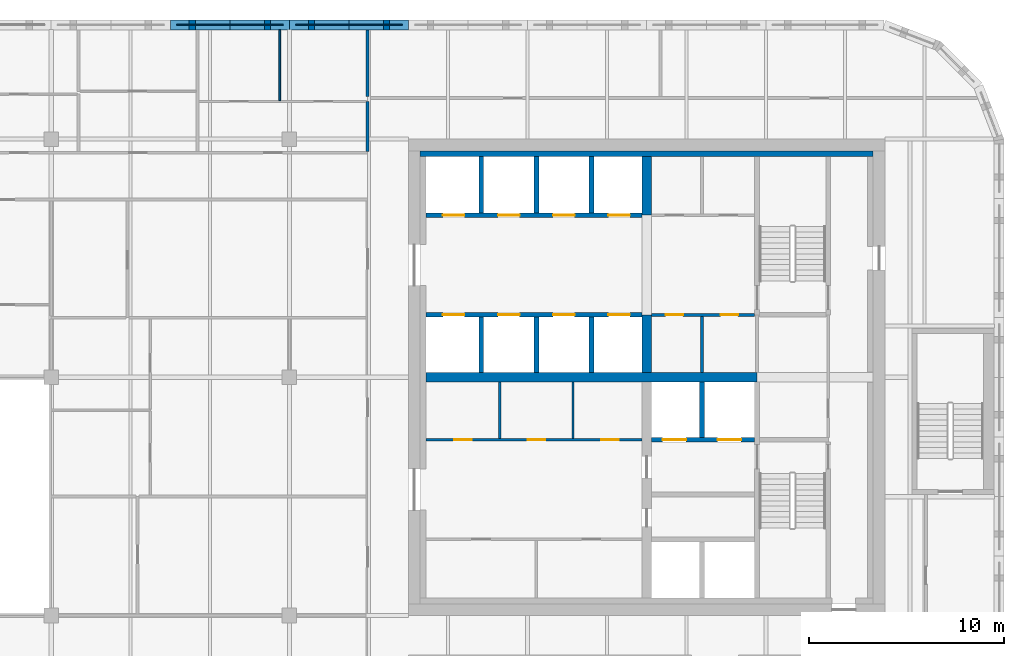
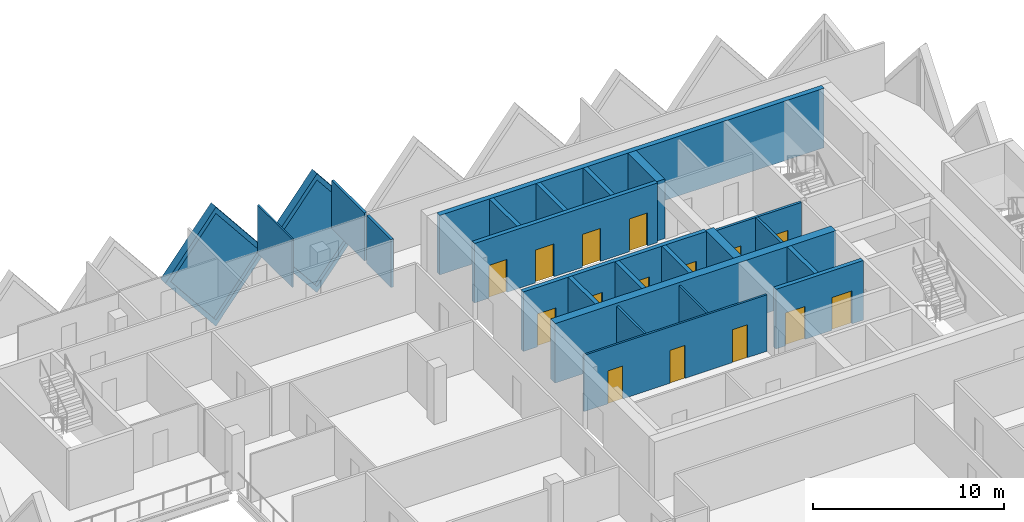
# One storey, part 8 of 11: 24 walls, 15 doors, 2 plates, 17 openings.
"""IFC4 building model written with IfcOpenShell, lengths in metres."""

from ifc_helpers import new_model, si_unit, direction, frame, frame_2d, origin, place, context, subcontext, project, spatial, polyline, rectangle, outline, extrude, faceted_brep, source, transform, mapped, material, layer, layer_set, type_object, element, fill, save


model = new_model("IFC4")

# Units and contexts
model_context = context("Model", 3, precision=1e-05, world=origin(), true_north=direction((0.0, 1.0)))
body_context = subcontext(model_context, "Body", "Model", "MODEL_VIEW")
ifc_project = project(units=[si_unit("LENGTHUNIT", "METRE"), si_unit("AREAUNIT", "SQUARE_METRE"), si_unit("VOLUMEUNIT", "CUBIC_METRE"), si_unit("PLANEANGLEUNIT", "RADIAN"), si_unit("MASSUNIT", "GRAM", prefix="KILO")], contexts=[model_context])

# Site, building, storey
site_placement = place(None, origin())
site = spatial("IfcSite", under=ifc_project, at=site_placement, CompositionType="ELEMENT")
building_placement = place(site_placement, origin())
building = spatial("IfcBuilding", under=site, at=building_placement, Name="Tessera Gate Towers", CompositionType="ELEMENT")
storey_placement = place(building_placement, frame((0.0, 0.0, 174.39990234375)))
storey = spatial("IfcBuildingStorey", under=building, at=storey_placement, Name="L43", CompositionType="ELEMENT", Elevation=174.39990234375)

# Wall, openings, doors
ifc_material_1 = material(Name="Concrete C40/50", Category="concrete")
ifc_layer_1 = layer(ifc_material_1, 0.25)
ifc_layer_set_1 = layer_set([ifc_layer_1], Name="CORE ENCLOSURE WALL 250")
wall_type_1 = type_object("IfcWallType", Name="CORE ENCLOSURE WALL 250", PredefinedType="SOLIDWALL", material=ifc_layer_set_1)
wall_1_placement = place(storey_placement, frame((31.39990234375, 39.800048828125, 0.0), z_axis=(0.0, 0.0, 1.0), x_axis=(1.0, 0.0, 0.0)))
wall_1 = element("IfcWall", 1, at=wall_1_placement, inside=storey, type_object=wall_type_1, Name="L43 shaft and stair enclosure wall", PredefinedType="SOLIDWALL", context=body_context, shape_type="SweptSolid", body=[
    extrude(rectangle(XDim=11.050048828125, YDim=0.25, at=frame_2d((5.52490234375, 0.0))), origin(), (0.0, 0.0, 1.0), 3.800048828125),
])
shared_shape_1 = source(origin(), body_context, "Body", "SweptSolid", [
    extrude(rectangle(XDim=1.10009765625, YDim=2.10009765625, at=frame_2d((0.550048828125, 1.050048828125))), frame((0.0, 0.135009765625, 0.0), z_axis=(0.0, -1.0, 0.0), x_axis=(1.0, 0.0, 0.0)), (0.0, 0.0, 1.0), 0.27001953125),
])
opening_1_placement = place(wall_1_placement, frame((0.862548828125, 0.0, 0.0)))
opening_1 = element("IfcOpeningElement", 2, at=opening_1_placement, cuts=wall_1, Name="Opening LD-HR1", PredefinedType="OPENING", context=body_context, shape_type="MappedRepresentation", body=[
    mapped(shared_shape_1, transform((0.0, 0.0, 0.0), scale=1.0)),
])
opening_2_placement = place(wall_1_placement, frame((3.6875, 0.0, 0.0)))
opening_2 = element("IfcOpeningElement", 3, at=opening_2_placement, cuts=wall_1, Name="Opening LD-HR2", PredefinedType="OPENING", context=body_context, shape_type="MappedRepresentation", body=[
    mapped(shared_shape_1, transform((0.0, 0.0, 0.0), scale=1.0)),
])
opening_3_placement = place(wall_1_placement, frame((6.512451171875, 0.0, 0.0)))
opening_3 = element("IfcOpeningElement", 4, at=opening_3_placement, cuts=wall_1, Name="Opening LD-HR3", PredefinedType="OPENING", context=body_context, shape_type="MappedRepresentation", body=[
    mapped(shared_shape_1, transform((0.0, 0.0, 0.0), scale=1.0)),
])
opening_4_placement = place(wall_1_placement, frame((9.33740234375, 0.0, 0.0)))
opening_4 = element("IfcOpeningElement", 5, at=opening_4_placement, cuts=wall_1, Name="Opening LD-HR4", PredefinedType="OPENING", context=body_context, shape_type="MappedRepresentation", body=[
    mapped(shared_shape_1, transform((0.0, 0.0, 0.0), scale=1.0)),
])
ifc_material_2 = material(Name="Stainless steel", Category="steel")
door_type_1 = type_object("IfcDoorType", Name="CORE DOOR LD 1100x2100", OperationType="DOUBLE_DOOR_SLIDING", PredefinedType="DOOR", material=ifc_material_2)
shared_shape_2 = source(origin(), body_context, "Body", "SweptSolid", [
    extrude(rectangle(XDim=1.10009765625, YDim=2.10009765625, at=frame_2d((0.550048828125, 1.050048828125))), frame((0.0, 0.02490234375, 0.0), z_axis=(0.0, -1.0, 0.0), x_axis=(1.0, 0.0, 0.0)), (0.0, 0.0, 1.0), 0.050048828125),
])
door_1_placement = place(opening_1_placement, origin())
door_1 = element("IfcDoor", 6, at=door_1_placement, inside=storey, type_object=door_type_1, Name="Landing door HR1 L43", OperationType="DOUBLE_DOOR_SLIDING", OverallHeight=2.10009765625, OverallWidth=1.10009765625, PredefinedType="DOOR", context=body_context, shape_type="MappedRepresentation", body=[
    mapped(shared_shape_2, transform((0.0, 0.0, 0.0), scale=1.0)),
])
fill(opening_1, door_1)
door_2_placement = place(opening_2_placement, origin())
door_2 = element("IfcDoor", 7, at=door_2_placement, inside=storey, type_object=door_type_1, Name="Landing door HR2 L43", OperationType="DOUBLE_DOOR_SLIDING", OverallHeight=2.10009765625, OverallWidth=1.10009765625, PredefinedType="DOOR", context=body_context, shape_type="MappedRepresentation", body=[
    mapped(shared_shape_2, transform((0.0, 0.0, 0.0), scale=1.0)),
])
fill(opening_2, door_2)
door_3_placement = place(opening_3_placement, origin())
door_3 = element("IfcDoor", 8, at=door_3_placement, inside=storey, type_object=door_type_1, Name="Landing door HR3 L43", OperationType="DOUBLE_DOOR_SLIDING", OverallHeight=2.10009765625, OverallWidth=1.10009765625, PredefinedType="DOOR", context=body_context, shape_type="MappedRepresentation", body=[
    mapped(shared_shape_2, transform((0.0, 0.0, 0.0), scale=1.0)),
])
fill(opening_3, door_3)
door_4_placement = place(opening_4_placement, origin())
door_4 = element("IfcDoor", 9, at=door_4_placement, inside=storey, type_object=door_type_1, Name="Landing door HR4 L43", OperationType="DOUBLE_DOOR_SLIDING", OverallHeight=2.10009765625, OverallWidth=1.10009765625, PredefinedType="DOOR", context=body_context, shape_type="MappedRepresentation", body=[
    mapped(shared_shape_2, transform((0.0, 0.0, 0.0), scale=1.0)),
])
fill(opening_4, door_4)

wall_2_placement = place(storey_placement, frame((42.449951171875, 44.89990234375, 0.0), z_axis=(0.0, 0.0, 1.0), x_axis=(-1.0, 0.0, 0.0)))
wall_2 = element("IfcWall", 10, at=wall_2_placement, inside=storey, type_object=wall_type_1, Name="L43 shaft and stair enclosure wall", PredefinedType="SOLIDWALL", context=body_context, shape_type="SweptSolid", body=[
    extrude(rectangle(XDim=11.050048828125, YDim=0.25, at=frame_2d((5.52490234375, 0.0))), origin(), (0.0, 0.0, 1.0), 3.800048828125),
])
opening_5_placement = place(wall_2_placement, frame((9.08740234375, 0.0, 0.0)))
opening_5 = element("IfcOpeningElement", 11, at=opening_5_placement, cuts=wall_2, Name="Opening LD-HR5", PredefinedType="OPENING", context=body_context, shape_type="MappedRepresentation", body=[
    mapped(shared_shape_1, transform((0.0, 0.0, 0.0), scale=1.0)),
])
opening_6_placement = place(wall_2_placement, frame((6.262451171875, 0.0, 0.0)))
opening_6 = element("IfcOpeningElement", 12, at=opening_6_placement, cuts=wall_2, Name="Opening LD-HR6", PredefinedType="OPENING", context=body_context, shape_type="MappedRepresentation", body=[
    mapped(shared_shape_1, transform((0.0, 0.0, 0.0), scale=1.0)),
])
opening_7_placement = place(wall_2_placement, frame((3.4375, 0.0, 0.0)))
opening_7 = element("IfcOpeningElement", 13, at=opening_7_placement, cuts=wall_2, Name="Opening LD-HR7", PredefinedType="OPENING", context=body_context, shape_type="MappedRepresentation", body=[
    mapped(shared_shape_1, transform((0.0, 0.0, 0.0), scale=1.0)),
])
opening_8_placement = place(wall_2_placement, frame((0.612548828125, 0.0, 0.0)))
opening_8 = element("IfcOpeningElement", 14, at=opening_8_placement, cuts=wall_2, Name="Opening LD-HR8", PredefinedType="OPENING", context=body_context, shape_type="MappedRepresentation", body=[
    mapped(shared_shape_1, transform((0.0, 0.0, 0.0), scale=1.0)),
])
door_5_placement = place(opening_5_placement, origin())
door_5 = element("IfcDoor", 15, at=door_5_placement, inside=storey, type_object=door_type_1, Name="Landing door HR5 L43", OperationType="DOUBLE_DOOR_SLIDING", OverallHeight=2.10009765625, OverallWidth=1.10009765625, PredefinedType="DOOR", context=body_context, shape_type="MappedRepresentation", body=[
    mapped(shared_shape_2, transform((0.0, 0.0, 0.0), scale=1.0)),
])
fill(opening_5, door_5)
door_6_placement = place(opening_6_placement, origin())
door_6 = element("IfcDoor", 16, at=door_6_placement, inside=storey, type_object=door_type_1, Name="Landing door HR6 L43", OperationType="DOUBLE_DOOR_SLIDING", OverallHeight=2.10009765625, OverallWidth=1.10009765625, PredefinedType="DOOR", context=body_context, shape_type="MappedRepresentation", body=[
    mapped(shared_shape_2, transform((0.0, 0.0, 0.0), scale=1.0)),
])
fill(opening_6, door_6)
door_7_placement = place(opening_7_placement, origin())
door_7 = element("IfcDoor", 17, at=door_7_placement, inside=storey, type_object=door_type_1, Name="Landing door HR7 L43", OperationType="DOUBLE_DOOR_SLIDING", OverallHeight=2.10009765625, OverallWidth=1.10009765625, PredefinedType="DOOR", context=body_context, shape_type="MappedRepresentation", body=[
    mapped(shared_shape_2, transform((0.0, 0.0, 0.0), scale=1.0)),
])
fill(opening_7, door_7)
door_8_placement = place(opening_8_placement, origin())
door_8 = element("IfcDoor", 18, at=door_8_placement, inside=storey, type_object=door_type_1, Name="Landing door HR8 L43", OperationType="DOUBLE_DOOR_SLIDING", OverallHeight=2.10009765625, OverallWidth=1.10009765625, PredefinedType="DOOR", context=body_context, shape_type="MappedRepresentation", body=[
    mapped(shared_shape_2, transform((0.0, 0.0, 0.0), scale=1.0)),
])
fill(opening_8, door_8)

wall_3_placement = place(storey_placement, frame((48.22509765625, 33.39990234375, 0.0), z_axis=(0.0, 0.0, 1.0), x_axis=(-1.0, 0.0, 0.0)))
wall_3 = element("IfcWall", 19, at=wall_3_placement, inside=storey, type_object=wall_type_1, Name="L43 shaft and stair enclosure wall", PredefinedType="SOLIDWALL", context=body_context, shape_type="SweptSolid", body=[
    extrude(rectangle(XDim=5.275146484375, YDim=0.25, at=frame_2d((2.6376953125, 0.0))), origin(), (0.0, 0.0, 1.0), 3.800048828125),
])
shared_shape_3 = source(origin(), body_context, "Body", "SweptSolid", [
    extrude(rectangle(XDim=1.199951171875, YDim=2.10009765625, at=frame_2d((0.60009765625, 1.050048828125))), frame((0.0, 0.135009765625, 0.0), z_axis=(0.0, -1.0, 0.0), x_axis=(1.0, 0.0, 0.0)), (0.0, 0.0, 1.0), 0.27001953125),
])
opening_9_placement = place(wall_3_placement, frame((3.512451171875, 0.0, 0.0)))
opening_9 = element("IfcOpeningElement", 20, at=opening_9_placement, cuts=wall_3, Name="Opening LD-FF1", PredefinedType="OPENING", context=body_context, shape_type="MappedRepresentation", body=[
    mapped(shared_shape_3, transform((0.0, 0.0, 0.0), scale=1.0)),
])
opening_10_placement = place(wall_3_placement, frame((0.6875, 0.0, 0.0)))
opening_10 = element("IfcOpeningElement", 21, at=opening_10_placement, cuts=wall_3, Name="Opening LD-FF2", PredefinedType="OPENING", context=body_context, shape_type="MappedRepresentation", body=[
    mapped(shared_shape_3, transform((0.0, 0.0, 0.0), scale=1.0)),
])
ifc_material_3 = material(Name="Stainless steel", Category="steel")
door_type_2 = type_object("IfcDoorType", Name="CORE DOOR LD1200 1200x2100", OperationType="DOUBLE_DOOR_SLIDING", PredefinedType="DOOR", material=ifc_material_3)
shared_shape_4 = source(origin(), body_context, "Body", "SweptSolid", [
    extrude(rectangle(XDim=1.199951171875, YDim=2.10009765625, at=frame_2d((0.60009765625, 1.050048828125))), frame((0.0, 0.02490234375, 0.0), z_axis=(0.0, -1.0, 0.0), x_axis=(1.0, 0.0, 0.0)), (0.0, 0.0, 1.0), 0.050048828125),
])
door_9_placement = place(opening_9_placement, origin())
door_9 = element("IfcDoor", 22, at=door_9_placement, inside=storey, type_object=door_type_2, Name="Landing door FF1 L43", OperationType="DOUBLE_DOOR_SLIDING", OverallHeight=2.10009765625, OverallWidth=1.199951171875, PredefinedType="DOOR", context=body_context, shape_type="MappedRepresentation", body=[
    mapped(shared_shape_4, transform((0.0, 0.0, 0.0), scale=1.0)),
])
fill(opening_9, door_9)
door_10_placement = place(opening_10_placement, origin())
door_10 = element("IfcDoor", 23, at=door_10_placement, inside=storey, type_object=door_type_2, Name="Landing door FF2 L43", OperationType="DOUBLE_DOOR_SLIDING", OverallHeight=2.10009765625, OverallWidth=1.199951171875, PredefinedType="DOOR", context=body_context, shape_type="MappedRepresentation", body=[
    mapped(shared_shape_4, transform((0.0, 0.0, 0.0), scale=1.0)),
])
fill(opening_10, door_10)

# Walls
for number, where, z_axis, x_axis, name in (
    (24, (34.22509765625, 36.85009765625, 0.0), (0.0, 0.0, 1.0), (0.0, 1.0, 0.0), "L43 shaft and stair enclosure wall"),
    (25, (37.050048828125, 36.85009765625, 0.0), (0.0, 0.0, 1.0), (0.0, 1.0, 0.0), "L43 shaft and stair enclosure wall"),
    (26, (39.875, 36.85009765625, 0.0), (0.0, 0.0, 1.0), (0.0, 1.0, 0.0), "L43 shaft and stair enclosure wall"),
):
    element("IfcWall", number, at=place(storey_placement, frame(where, z_axis=z_axis, x_axis=x_axis)), inside=storey, type_object=wall_type_1, Name=name, PredefinedType="SOLIDWALL", context=body_context, shape_type="SweptSolid", body=[
        extrude(rectangle(XDim=2.824951171875, YDim=0.25, at=frame_2d((1.41259765625, 0.0))), origin(), (0.0, 0.0, 1.0), 3.800048828125),
    ])
wall_4_placement = place(storey_placement, frame((45.52490234375, 33.52490234375, 0.0), z_axis=(0.0, 0.0, 1.0), x_axis=(0.0, 1.0, 0.0)))
element("IfcWall", 27, at=wall_4_placement, inside=storey, type_object=wall_type_1, Name="L43 shaft and stair enclosure wall", PredefinedType="SOLIDWALL", context=body_context, shape_type="SweptSolid", body=[
    extrude(rectangle(XDim=2.8251953125, YDim=0.25, at=frame_2d((1.41259765625, 0.0))), origin(), (0.0, 0.0, 1.0), 3.800048828125),
])
for number, where, z_axis, x_axis, name in (
    (28, (34.22509765625, 45.02490234375, 0.0), (0.0, 0.0, 1.0), (0.0, 1.0, 0.0), "L43 shaft and stair enclosure wall"),
    (29, (37.050048828125, 45.02490234375, 0.0), (0.0, 0.0, 1.0), (0.0, 1.0, 0.0), "L43 shaft and stair enclosure wall"),
    (30, (39.875, 45.02490234375, 0.0), (0.0, 0.0, 1.0), (0.0, 1.0, 0.0), "L43 shaft and stair enclosure wall"),
):
    element("IfcWall", number, at=place(storey_placement, frame(where, z_axis=z_axis, x_axis=x_axis)), inside=storey, type_object=wall_type_1, Name=name, PredefinedType="SOLIDWALL", context=body_context, shape_type="SweptSolid", body=[
        extrude(rectangle(XDim=2.875, YDim=0.25, at=frame_2d((1.4375, 0.0))), origin(), (0.0, 0.0, 1.0), 3.800048828125),
    ])

# Wall, openings, doors
ifc_material_4 = material(Name="Gypsum board on steel studs", Category="steel")
ifc_layer_2 = layer(ifc_material_4, 0.1201171875)
ifc_layer_set_2 = layer_set([ifc_layer_2], Name="CORE PARTITION 120")
wall_type_2 = type_object("IfcWallType", Name="CORE PARTITION 120", PredefinedType="PARTITIONING", material=ifc_layer_set_2)
wall_5_placement = place(storey_placement, frame((31.39990234375, 33.39990234375, 0.0), z_axis=(0.0, 0.0, 1.0), x_axis=(1.0, 0.0, 0.0)))
wall_5 = element("IfcWall", 31, at=wall_5_placement, inside=storey, type_object=wall_type_2, Name="L43 core partition", PredefinedType="PARTITIONING", context=body_context, shape_type="SweptSolid", body=[
    extrude(rectangle(XDim=11.050048828125, YDim=0.1201171875, at=frame_2d((5.52490234375, 0.0))), origin(), (0.0, 0.0, 1.0), 3.60009765625),
])
shared_shape_5 = source(origin(), body_context, "Body", "SweptSolid", [
    extrude(rectangle(XDim=0.89990234375, YDim=2.10009765625, at=frame_2d((0.449951171875, 1.050048828125))), frame((0.0, 0.070068359375, 0.0), z_axis=(0.0, -1.0, 0.0), x_axis=(1.0, 0.0, 0.0)), (0.0, 0.0, 1.0), 0.14013671875),
])
opening_11_placement = place(wall_5_placement, frame((1.4375, 0.0, 0.0)))
opening_11 = element("IfcOpeningElement", 32, at=opening_11_placement, cuts=wall_5, Name="Opening RD-T1-27-09", PredefinedType="OPENING", context=body_context, shape_type="MappedRepresentation", body=[
    mapped(shared_shape_5, transform((0.0, 0.0, 0.0), scale=1.0)),
])
opening_12_placement = place(wall_5_placement, frame((5.199951171875, 0.0, 0.0)))
opening_12 = element("IfcOpeningElement", 33, at=opening_12_placement, cuts=wall_5, Name="Opening RD-T1-27-10", PredefinedType="OPENING", context=body_context, shape_type="MappedRepresentation", body=[
    mapped(shared_shape_5, transform((0.0, 0.0, 0.0), scale=1.0)),
])
opening_13_placement = place(wall_5_placement, frame((8.96240234375, 0.0, 0.0)))
opening_13 = element("IfcOpeningElement", 34, at=opening_13_placement, cuts=wall_5, Name="Opening RD-T1-27-11", PredefinedType="OPENING", context=body_context, shape_type="MappedRepresentation", body=[
    mapped(shared_shape_5, transform((0.0, 0.0, 0.0), scale=1.0)),
])
ifc_material_5 = material(Name="Hollow steel fire door", Category="steel")
door_type_3 = type_object("IfcDoorType", Name="CORE DOOR RD 900x2100", OperationType="NOTDEFINED", PredefinedType="DOOR", material=ifc_material_5)
shared_shape_6 = source(origin(), body_context, "Body", "SweptSolid", [
    extrude(rectangle(XDim=0.89990234375, YDim=2.10009765625, at=frame_2d((0.449951171875, 1.050048828125))), frame((0.0, 0.02490234375, 0.0), z_axis=(0.0, -1.0, 0.0), x_axis=(1.0, 0.0, 0.0)), (0.0, 0.0, 1.0), 0.050048828125),
])
door_11_placement = place(opening_11_placement, origin())
door_11 = element("IfcDoor", 35, at=door_11_placement, inside=storey, type_object=door_type_3, Name="Core room door", OperationType="SINGLE_SWING_LEFT", OverallHeight=2.10009765625, OverallWidth=0.89990234375, PredefinedType="DOOR", context=body_context, shape_type="MappedRepresentation", body=[
    mapped(shared_shape_6, transform((0.0, 0.0, 0.0), scale=1.0)),
])
fill(opening_11, door_11)
door_12_placement = place(opening_12_placement, origin())
door_12 = element("IfcDoor", 36, at=door_12_placement, inside=storey, type_object=door_type_3, Name="Core room door", OperationType="SINGLE_SWING_RIGHT", OverallHeight=2.10009765625, OverallWidth=0.89990234375, PredefinedType="DOOR", context=body_context, shape_type="MappedRepresentation", body=[
    mapped(shared_shape_6, transform((0.0, 0.0, 0.0), scale=1.0)),
])
fill(opening_12, door_12)
door_13_placement = place(opening_13_placement, origin())
door_13 = element("IfcDoor", 37, at=door_13_placement, inside=storey, type_object=door_type_3, Name="Core room door", OperationType="SINGLE_SWING_RIGHT", OverallHeight=2.10009765625, OverallWidth=0.89990234375, PredefinedType="DOOR", context=body_context, shape_type="MappedRepresentation", body=[
    mapped(shared_shape_6, transform((0.0, 0.0, 0.0), scale=1.0)),
])
fill(opening_13, door_13)

# Walls
for number, where, z_axis, x_axis, name in (
    (38, (35.175048828125, 33.4599609375, 0.0), (0.0, 0.0, 1.0), (0.0, 1.0, 0.0), "L43 core partition"),
    (39, (38.925048828125, 33.4599609375, 0.0), (0.0, 0.0, 1.0), (0.0, 1.0, 0.0), "L43 core partition"),
):
    element("IfcWall", number, at=place(storey_placement, frame(where, z_axis=z_axis, x_axis=x_axis)), inside=storey, type_object=wall_type_2, Name=name, PredefinedType="PARTITIONING", context=body_context, shape_type="SweptSolid", body=[
        extrude(rectangle(XDim=2.89013671875, YDim=0.1201171875, at=frame_2d((1.445068359375, 0.0))), origin(), (0.0, 0.0, 1.0), 3.60009765625),
    ])
ifc_material_6 = material(Name="Concrete C50/60", Category="concrete")
ifc_layer_3 = layer(ifc_material_6, 0.5)
ifc_layer_set_3 = layer_set([ifc_layer_3], Name="CORE SPINE WALL 500 C50/60")
wall_type_3 = type_object("IfcWallType", Name="CORE SPINE WALL 500 C50/60", PredefinedType="SHEAR", material=ifc_layer_set_3)
wall_6_placement = place(storey_placement, frame((31.39990234375, 36.60009765625, 0.0), z_axis=(0.0, 0.0, 1.0), x_axis=(1.0, 0.0, 0.0)))
element("IfcWall", 40, at=wall_6_placement, inside=storey, type_object=wall_type_3, Name="Core wall spine L43", PredefinedType="SHEAR", context=body_context, shape_type="SweptSolid", body=[
    extrude(rectangle(XDim=16.9501953125, YDim=0.5, at=frame_2d((8.47509765625, 0.0))), origin(), (0.0, 0.0, 1.0), 3.800048828125),
])
wall_7_placement = place(storey_placement, frame((42.699951171875, 36.85009765625, 0.0), z_axis=(0.0, 0.0, 1.0), x_axis=(0.0, 1.0, 0.0)))
element("IfcWall", 41, at=wall_7_placement, inside=storey, type_object=wall_type_3, Name="Core wall spine L43", PredefinedType="SHEAR", context=body_context, shape_type="SweptSolid", body=[
    extrude(rectangle(XDim=2.949951171875, YDim=0.5, at=frame_2d((1.47509765625, 0.0))), origin(), (0.0, 0.0, 1.0), 3.800048828125),
])
wall_8_placement = place(storey_placement, frame((42.699951171875, 44.89990234375, 0.0), z_axis=(0.0, 0.0, 1.0), x_axis=(0.0, 1.0, 0.0)))
element("IfcWall", 42, at=wall_8_placement, inside=storey, type_object=wall_type_3, Name="Core wall spine L43", PredefinedType="SHEAR", context=body_context, shape_type="SweptSolid", body=[
    extrude(rectangle(XDim=3.0, YDim=0.5, at=frame_2d((1.5, 0.0))), origin(), (0.0, 0.0, 1.0), 3.800048828125),
])
ifc_material_7 = material(Name="Concrete C50/60", Category="concrete")
ifc_layer_4 = layer(ifc_material_7, 0.300048828125)
ifc_layer_set_4 = layer_set([ifc_layer_4], Name="CORE WALL THICKENING 300")
wall_type_4 = type_object("IfcWallType", Name="CORE WALL THICKENING 300", PredefinedType="SOLIDWALL", material=ifc_layer_set_4)
wall_9_placement = place(storey_placement, frame((31.10009765625, 48.050048828125, 0.0), z_axis=(0.0, 0.0, 1.0), x_axis=(1.0, 0.0, 0.0)))
element("IfcWall", 43, at=wall_9_placement, inside=storey, type_object=wall_type_4, Name="Core wall thickening N L43", PredefinedType="SOLIDWALL", context=body_context, shape_type="SweptSolid", body=[
    extrude(rectangle(XDim=23.199951171875, YDim=0.300048828125, at=frame_2d((11.60009765625, 0.0))), origin(), (0.0, 0.0, 1.0), 3.800048828125),
])
ifc_material_8 = material(Name="Gypsum board on steel studs, mineral wool", Category="steel")
ifc_layer_5 = layer(ifc_material_8, 0.14990234375)
ifc_layer_set_5 = layer_set([ifc_layer_5], Name="CORRIDOR WALL 150")
wall_type_5 = type_object("IfcWallType", Name="CORRIDOR WALL 150", PredefinedType="PARTITIONING", material=ifc_layer_set_5)
wall_10_placement = place(storey_placement, frame((28.39990234375, 48.176025390625, 0.0), z_axis=(0.0, 0.0, 1.0), x_axis=(0.0, 1.0, 0.0)))
element("IfcWall", 44, at=wall_10_placement, inside=storey, type_object=wall_type_5, Name="T1-L43-PW-044", PredefinedType="PARTITIONING", context=body_context, shape_type="SweptSolid", body=[
    extrude(rectangle(XDim=2.549072265625, YDim=0.14990234375, at=frame_2d((1.2744140625, 0.0))), origin(), (0.0, 0.0, 1.0), 3.067138671875),
])
ifc_material_9 = material(Name="Gypsum board on steel studs", Category="steel")
ifc_layer_6 = layer(ifc_material_9, 0.10009765625)
ifc_layer_set_6 = layer_set([ifc_layer_6], Name="PARTITION 100")
wall_type_6 = type_object("IfcWallType", Name="PARTITION 100", PredefinedType="PARTITIONING", material=ifc_layer_set_6)
wall_11_placement = place(storey_placement, frame((23.903076171875, 50.77587890625, 0.0), z_axis=(0.0, 0.0, 1.0), x_axis=(0.0, 1.0, 0.0)))
element("IfcWall", 45, at=wall_11_placement, inside=storey, type_object=wall_type_6, Name="T1-L43-PW-046", PredefinedType="PARTITIONING", context=body_context, shape_type="SweptSolid", body=[
    extrude(rectangle(XDim=3.6240234375, YDim=0.10009765625, at=frame_2d((1.81201171875, 0.0))), origin(), (0.0, 0.0, 1.0), 3.067138671875),
])

# Wall, openings, doors
ifc_material_10 = material(Name="Gypsum board on steel studs", Category="steel")
ifc_layer_7 = layer(ifc_material_10, 0.14990234375)
ifc_layer_set_7 = layer_set([ifc_layer_7], Name="SERVICE ROOM WALL 150")
wall_type_7 = type_object("IfcWallType", Name="SERVICE ROOM WALL 150", PredefinedType="PARTITIONING", material=ifc_layer_set_7)
wall_12_placement = place(storey_placement, frame((48.22509765625, 39.800048828125, 0.0), z_axis=(0.0, 0.0, 1.0), x_axis=(-1.0, 0.0, 0.0)))
wall_12 = element("IfcWall", 46, at=wall_12_placement, inside=storey, type_object=wall_type_7, Name="L43 service room wall", PredefinedType="PARTITIONING", context=body_context, shape_type="SweptSolid", body=[
    extrude(rectangle(XDim=5.275146484375, YDim=0.14990234375, at=frame_2d((2.6376953125, 0.0))), origin(), (0.0, 0.0, 1.0), 3.60009765625),
])
shared_shape_7 = source(origin(), body_context, "Body", "SweptSolid", [
    extrude(rectangle(XDim=0.89990234375, YDim=2.10009765625, at=frame_2d((0.449951171875, 1.050048828125))), frame((0.0, 0.0849609375, 0.0), z_axis=(0.0, -1.0, 0.0), x_axis=(1.0, 0.0, 0.0)), (0.0, 0.0, 1.0), 0.169921875),
])
opening_14_placement = place(wall_12_placement, frame((3.66259765625, 0.0, 0.0)))
opening_14 = element("IfcOpeningElement", 47, at=opening_14_placement, cuts=wall_12, Name="Opening RD-T1-27-13", PredefinedType="OPENING", context=body_context, shape_type="MappedRepresentation", body=[
    mapped(shared_shape_7, transform((0.0, 0.0, 0.0), scale=1.0)),
])
opening_15_placement = place(wall_12_placement, frame((0.83740234375, 0.0, 0.0)))
opening_15 = element("IfcOpeningElement", 48, at=opening_15_placement, cuts=wall_12, Name="Opening RD-T1-27-14", PredefinedType="OPENING", context=body_context, shape_type="MappedRepresentation", body=[
    mapped(shared_shape_7, transform((0.0, 0.0, 0.0), scale=1.0)),
])
door_14_placement = place(opening_14_placement, origin())
door_14 = element("IfcDoor", 49, at=door_14_placement, inside=storey, type_object=door_type_3, Name="Core room door", OperationType="SINGLE_SWING_RIGHT", OverallHeight=2.10009765625, OverallWidth=0.89990234375, PredefinedType="DOOR", context=body_context, shape_type="MappedRepresentation", body=[
    mapped(shared_shape_6, transform((0.0, 0.0, 0.0), scale=1.0)),
])
fill(opening_14, door_14)
door_15_placement = place(opening_15_placement, origin())
door_15 = element("IfcDoor", 50, at=door_15_placement, inside=storey, type_object=door_type_3, Name="Core room door", OperationType="SINGLE_SWING_LEFT", OverallHeight=2.10009765625, OverallWidth=0.89990234375, PredefinedType="DOOR", context=body_context, shape_type="MappedRepresentation", body=[
    mapped(shared_shape_6, transform((0.0, 0.0, 0.0), scale=1.0)),
])
fill(opening_15, door_15)

# Walls
wall_13_placement = place(storey_placement, frame((45.52490234375, 36.85009765625, 0.0), z_axis=(0.0, 0.0, 1.0), x_axis=(0.0, 1.0, 0.0)))
element("IfcWall", 51, at=wall_13_placement, inside=storey, type_object=wall_type_7, Name="L43 service room wall", PredefinedType="PARTITIONING", context=body_context, shape_type="SweptSolid", body=[
    extrude(rectangle(XDim=2.875, YDim=0.14990234375, at=frame_2d((1.4375, 0.0))), origin(), (0.0, 0.0, 1.0), 3.60009765625),
])
ifc_material_11 = material(Name="Gypsum board on steel studs, mineral wool", Category="steel")
ifc_layer_8 = layer(ifc_material_11, 0.14990234375)
ifc_layer_set_8 = layer_set([ifc_layer_8], Name="TENANCY WALL 150")
wall_type_8 = type_object("IfcWallType", Name="TENANCY WALL 150", PredefinedType="PARTITIONING", material=ifc_layer_set_8)
wall_14_placement = place(storey_placement, frame((28.39990234375, 50.97607421875, 0.0), z_axis=(0.0, 0.0, 1.0), x_axis=(0.0, 1.0, 0.0)))
element("IfcWall", 52, at=wall_14_placement, inside=storey, type_object=wall_type_8, Name="T1-L43-PW-048", PredefinedType="PARTITIONING", context=body_context, shape_type="SweptSolid", body=[
    extrude(rectangle(XDim=3.423828125, YDim=0.14990234375, at=frame_2d((1.7119140625, 0.0))), origin(), (0.0, 0.0, 1.0), 3.067138671875),
])

# Wall, opening, plate
ifc_material_12 = material(Name="Precast concrete C60/75 white", Category="concrete")
ifc_layer_9 = layer(ifc_material_12, 0.5)
ifc_layer_set_9 = layer_set([ifc_layer_9], Name="TS1 tessera")
wall_type_9 = type_object("IfcWallType", Name="TS1 tessera", PredefinedType="SOLIDWALL", material=ifc_layer_set_9)
shared_shape_8 = source(origin(), body_context, "Body", "Brep", [
    faceted_brep([(3.050048828125, -0.25, 0.0), (6.099853515625, -0.25, 3.799560546875), (6.099853515625, -0.25, 3.800048828125), (3.050048828125, -0.25, 7.599853515625), (0.0, -0.25, 3.7998046875), (0.0, 0.25, 3.7998046875), (3.050048828125, 0.25, 7.599853515625), (6.099853515625, 0.25, 3.800048828125), (6.099853515625, 0.25, 3.799560546875), (3.050048828125, 0.25, 0.0)], [[[0, 1, 2, 3, 4]], [[5, 6, 7, 8, 9]], [[9, 8, 1, 0]], [[7, 6, 3, 2]], [[6, 5, 4, 3]], [[5, 9, 0, 4]], [[1, 8, 7, 2]]]),
])
wall_15_placement = place(storey_placement, frame((24.39990234375, 54.64990234375, -3.7998046875), z_axis=(0.0, 0.0, 1.0), x_axis=(-1.0, 0.0, 0.0)))
wall_15 = element("IfcWall", 53, at=wall_15_placement, inside=storey, type_object=wall_type_9, Name="Precast tessera T1 TS1-0751", PredefinedType="SOLIDWALL", context=body_context, shape_type="MappedRepresentation", body=[
    mapped(shared_shape_8, transform((0.0, 0.0, 0.0), scale=1.0)),
])
shared_shape_9 = source(origin(), body_context, "Body", "SweptSolid", [
    extrude(outline(polyline([(3.050048828125, 0.3994140625), (5.779541015625, 3.7998046875), (3.050048828125, 7.200439453125), (0.320556640625, 3.7998046875), (3.050048828125, 0.3994140625)])), frame((0.0, 0.260009765625, 0.0), z_axis=(0.0, -1.0, 0.0), x_axis=(1.0, 0.0, 0.0)), (0.0, 0.0, 1.0), 0.52001953125),
])
opening_16_placement = place(wall_15_placement, origin())
opening_16 = element("IfcOpeningElement", 54, at=opening_16_placement, cuts=wall_15, Name="Opening T1-PL2-1527", PredefinedType="OPENING", context=body_context, shape_type="MappedRepresentation", body=[
    mapped(shared_shape_9, transform((0.0, 0.0, 0.0), scale=1.0)),
])
ifc_material_13 = material(Name="Low-e laminated glass", Category="glass")
ifc_layer_10 = layer(ifc_material_13, 0.06005859375)
ifc_layer_set_10 = layer_set([ifc_layer_10], Name="PL2 rhombic pane")
plate_type = type_object("IfcPlateType", Name="PL2 rhombic pane", PredefinedType="SHEET", material=ifc_layer_set_10)
shared_shape_10 = source(origin(), body_context, "Body", "SweptSolid", [
    extrude(outline(polyline([(3.050048828125, 0.3994140625), (5.779541015625, 3.7998046875), (3.050048828125, 7.200439453125), (0.320556640625, 3.7998046875), (3.050048828125, 0.3994140625)])), frame((0.0, 0.030029296875, 0.0), z_axis=(0.0, -1.0, 0.0), x_axis=(1.0, 0.0, 0.0)), (0.0, 0.0, 1.0), 0.06005859375),
])
plate_1_placement = place(opening_16_placement, origin())
plate_1 = element("IfcPlate", 55, at=plate_1_placement, inside=storey, type_object=plate_type, Name="Glass pane T1 PL2-1527", PredefinedType="SHEET", context=body_context, shape_type="MappedRepresentation", body=[
    mapped(shared_shape_10, transform((0.0, 0.0, 0.0), scale=1.0)),
])
fill(opening_16, plate_1)

shared_shape_11 = source(origin(), body_context, "Body", "SweptSolid", [
    extrude(outline(polyline([(3.050048828125, 0.0), (6.10009765625, 3.7998046875), (3.050048828125, 7.599853515625), (0.0, 3.7998046875), (3.050048828125, 0.0)])), frame((0.0, 0.25, 0.0), z_axis=(0.0, -1.0, 0.0), x_axis=(1.0, 0.0, 0.0)), (0.0, 0.0, 1.0), 0.5),
])
wall_16_placement = place(storey_placement, frame((30.5, 54.64990234375, -3.7998046875), z_axis=(0.0, 0.0, 1.0), x_axis=(-1.0, 0.0, 0.0)))
wall_16 = element("IfcWall", 56, at=wall_16_placement, inside=storey, type_object=wall_type_9, Name="Precast tessera T1 TS1-0750", PredefinedType="SOLIDWALL", context=body_context, shape_type="MappedRepresentation", body=[
    mapped(shared_shape_11, transform((0.0, 0.0, 0.0), scale=1.0)),
])
opening_17_placement = place(wall_16_placement, origin())
opening_17 = element("IfcOpeningElement", 57, at=opening_17_placement, cuts=wall_16, Name="Opening T1-PL2-1526", PredefinedType="OPENING", context=body_context, shape_type="MappedRepresentation", body=[
    mapped(shared_shape_9, transform((0.0, 0.0, 0.0), scale=1.0)),
])
plate_2_placement = place(opening_17_placement, origin())
plate_2 = element("IfcPlate", 58, at=plate_2_placement, inside=storey, type_object=plate_type, Name="Glass pane T1 PL2-1526", PredefinedType="SHEET", context=body_context, shape_type="MappedRepresentation", body=[
    mapped(shared_shape_10, transform((0.0, 0.0, 0.0), scale=1.0)),
])
fill(opening_17, plate_2)

save(model, "model.ifc")
